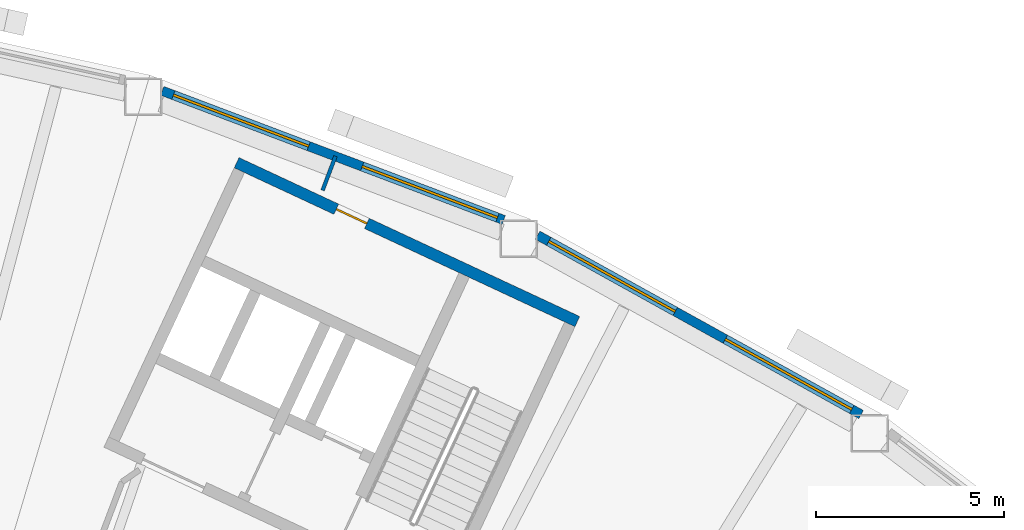
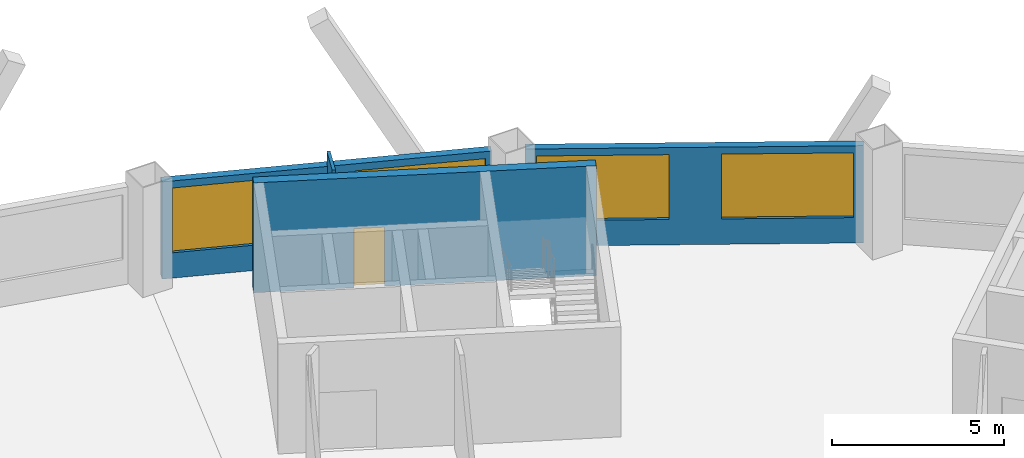
# One storey, part 8 of 11: 4 walls, 4 windows, 1 door, 5 openings.
"""IFC4 building model written with IfcOpenShell, lengths in metres."""

from ifc_helpers import new_model, si_unit, direction, frame, frame_2d, origin, place, context, subcontext, project, spatial, rectangle, extrude, material, layer, layer_set, type_object, element, fill, save


model = new_model("IFC4")

# Units and contexts
model_context = context("Model", 3, precision=1e-05, world=origin(), true_north=direction((0.0, 1.0)))
body_context = subcontext(model_context, "Body", "Model", "MODEL_VIEW")
ifc_project = project(units=[si_unit("LENGTHUNIT", "METRE"), si_unit("AREAUNIT", "SQUARE_METRE"), si_unit("VOLUMEUNIT", "CUBIC_METRE"), si_unit("PLANEANGLEUNIT", "RADIAN"), si_unit("MASSUNIT", "GRAM", prefix="KILO")], contexts=[model_context])

# Site, building, storey
site_placement = place(None, origin())
site = spatial("IfcSite", under=ifc_project, at=site_placement, CompositionType="ELEMENT")
building_placement = place(site_placement, origin())
building = spatial("IfcBuilding", under=site, at=building_placement, Name="Tuul Gate Civic Tower", CompositionType="ELEMENT")
storey_placement = place(building_placement, frame((0.0, 0.0, 155.0)))
storey = spatial("IfcBuildingStorey", under=building, at=storey_placement, Name="Level 35", CompositionType="ELEMENT", Elevation=155.0)

# Wall, opening, door
ifc_material_1 = material(Name="Concrete C50/60", Category="concrete")
ifc_layer_1 = layer(ifc_material_1, 0.300048828125)
ifc_layer_set_1 = layer_set([ifc_layer_1], Name="Concrete C50/60")
wall_type_1 = type_object("IfcWallType", Name="Core wall C50/60", PredefinedType="SHEAR", material=ifc_layer_set_1)
wall_1_placement = place(storey_placement, frame((37.993408203125, 0.181884765625, 0.0), z_axis=(0.0, 0.0, 1.0), x_axis=(-0.906310338845, 0.422612789327, 0.0)))
wall_1 = element("IfcWall", 1, at=wall_1_placement, inside=storey, type_object=wall_type_1, Name="Core wall", PredefinedType="SHEAR", context=body_context, shape_type="SweptSolid", body=[
    extrude(rectangle(XDim=9.999755859375, YDim=0.300048828125, at=frame_2d((5.0, 0.0))), origin(), (0.0, 0.0, 1.0), 3.89990234375),
])
opening_1_placement = place(wall_1_placement, frame((6.175048828125, 0.0, 0.0)))
opening_1 = element("IfcOpeningElement", 2, at=opening_1_placement, cuts=wall_1, Name="Opening L-D15", PredefinedType="OPENING", context=body_context, shape_type="SweptSolid", body=[
    extrude(rectangle(XDim=0.89990234375, YDim=2.10009765625, at=frame_2d((0.449951171875, 1.050048828125))), frame((0.0, 0.16015625, 0.0), z_axis=(0.0, -1.0, 0.0), x_axis=(1.0, 0.0, 0.0)), (0.0, 0.0, 1.0), 0.320068359375),
])
ifc_material_2 = material(Name="Timber door leaf", Category="wood")
door_type = type_object("IfcDoorType", Name="Door D09", OperationType="NOTDEFINED", PredefinedType="DOOR", material=ifc_material_2)
door_placement = place(opening_1_placement, origin())
door = element("IfcDoor", 3, at=door_placement, inside=storey, type_object=door_type, Name="Door L-D15", OperationType="SINGLE_SWING_LEFT", OverallHeight=2.10009765625, OverallWidth=0.89990234375, PredefinedType="DOOR", context=body_context, shape_type="SweptSolid", body=[
    extrude(rectangle(XDim=0.89990234375, YDim=2.10009765625, at=frame_2d((0.449951171875, 1.050048828125))), frame((0.0, 0.02490234375, 0.0), z_axis=(0.0, -1.0, 0.0), x_axis=(1.0, 0.0, 0.0)), (0.0, 0.0, 1.0), 0.050048828125),
])
fill(opening_1, door)

# Wall, openings, windows
ifc_material_3 = material(Name="Precast concrete C40/50", Category="concrete")
ifc_layer_2 = layer(ifc_material_3, 0.25)
ifc_layer_set_2 = layer_set([ifc_layer_2], Name="Precast concrete C40/50")
wall_type_2 = type_object("IfcWallType", Name="External wall", PredefinedType="STANDARD", material=ifc_layer_set_2)
wall_2_placement = place(storey_placement, frame((45.545166015625, -2.291015625, 0.0), z_axis=(0.0, 0.0, 1.0), x_axis=(-0.874631968484, 0.484787499536, 0.0)))
wall_2 = element("IfcWall", 4, at=wall_2_placement, inside=storey, type_object=wall_type_2, Name="External wall", PredefinedType="STANDARD", context=body_context, shape_type="SweptSolid", body=[
    extrude(rectangle(XDim=9.8408203125, YDim=0.25, at=frame_2d((4.92041015625, 0.0))), origin(), (0.0, 0.0, 1.0), 3.449951171875),
])
opening_2_placement = place(wall_2_placement, frame((0.283447265625, 0.0, 0.89990234375)))
opening_2 = element("IfcOpeningElement", 5, at=opening_2_placement, cuts=wall_2, Name="Opening W22", PredefinedType="OPENING", context=body_context, shape_type="SweptSolid", body=[
    extrude(rectangle(XDim=3.85009765625, YDim=2.300048828125, at=frame_2d((1.925048828125, 1.14990234375))), frame((0.0, 0.135009765625, 0.0), z_axis=(0.0, -1.0, 0.0), x_axis=(1.0, 0.0, 0.0)), (0.0, 0.0, 1.0), 0.27001953125),
])
opening_3_placement = place(wall_2_placement, frame((5.655029296875, 0.0, 0.89990234375)))
opening_3 = element("IfcOpeningElement", 6, at=opening_3_placement, cuts=wall_2, Name="Opening W22", PredefinedType="OPENING", context=body_context, shape_type="SweptSolid", body=[
    extrude(rectangle(XDim=3.85009765625, YDim=2.300048828125, at=frame_2d((1.925048828125, 1.14990234375))), frame((0.0, 0.135009765625, 0.0), z_axis=(0.0, -1.0, 0.0), x_axis=(1.0, 0.0, 0.0)), (0.0, 0.0, 1.0), 0.27001953125),
])
ifc_material_4 = material(Name="Glass", Category="glass")
window_type = type_object("IfcWindowType", Name="Window W22 3850 x 2300", PartitioningType="SINGLE_PANEL", PredefinedType="WINDOW", material=ifc_material_4)
window_1_placement = place(opening_2_placement, origin())
window_1 = element("IfcWindow", 7, at=window_1_placement, inside=storey, type_object=window_type, Name="Window", OverallHeight=2.300048828125, OverallWidth=3.85009765625, PartitioningType="SINGLE_PANEL", PredefinedType="WINDOW", context=body_context, shape_type="SweptSolid", body=[
    extrude(rectangle(XDim=3.85009765625, YDim=2.300048828125, at=frame_2d((1.925048828125, 1.14990234375))), frame((0.0, 0.030029296875, 0.0), z_axis=(0.0, -1.0, 0.0), x_axis=(1.0, 0.0, 0.0)), (0.0, 0.0, 1.0), 0.06005859375),
])
fill(opening_2, window_1)
window_2_placement = place(opening_3_placement, origin())
window_2 = element("IfcWindow", 8, at=window_2_placement, inside=storey, type_object=window_type, Name="Window", OverallHeight=2.300048828125, OverallWidth=3.85009765625, PartitioningType="SINGLE_PANEL", PredefinedType="WINDOW", context=body_context, shape_type="SweptSolid", body=[
    extrude(rectangle(XDim=3.85009765625, YDim=2.300048828125, at=frame_2d((1.925048828125, 1.14990234375))), frame((0.0, 0.030029296875, 0.0), z_axis=(0.0, -1.0, 0.0), x_axis=(1.0, 0.0, 0.0)), (0.0, 0.0, 1.0), 0.06005859375),
])
fill(opening_3, window_2)

wall_3_placement = place(storey_placement, frame((36.03564453125, 2.885009765625, 0.0), z_axis=(0.0, 0.0, 1.0), x_axis=(-0.935351451724, 0.353719750307, 0.0)))
wall_3 = element("IfcWall", 9, at=wall_3_placement, inside=storey, type_object=wall_type_2, Name="External wall", PredefinedType="STANDARD", context=body_context, shape_type="SweptSolid", body=[
    extrude(rectangle(XDim=9.712646484375, YDim=0.25, at=frame_2d((4.8564453125, 0.0))), origin(), (0.0, 0.0, 1.0), 3.449951171875),
])
opening_4_placement = place(wall_3_placement, frame((0.17578125, 0.0, 0.89990234375)))
opening_4 = element("IfcOpeningElement", 10, at=opening_4_placement, cuts=wall_3, Name="Opening W22", PredefinedType="OPENING", context=body_context, shape_type="SweptSolid", body=[
    extrude(rectangle(XDim=3.85009765625, YDim=2.300048828125, at=frame_2d((1.925048828125, 1.14990234375))), frame((0.0, 0.135009765625, 0.0), z_axis=(0.0, -1.0, 0.0), x_axis=(1.0, 0.0, 0.0)), (0.0, 0.0, 1.0), 0.27001953125),
])
opening_5_placement = place(wall_3_placement, frame((5.546875, 0.0, 0.89990234375)))
opening_5 = element("IfcOpeningElement", 11, at=opening_5_placement, cuts=wall_3, Name="Opening W22", PredefinedType="OPENING", context=body_context, shape_type="SweptSolid", body=[
    extrude(rectangle(XDim=3.85009765625, YDim=2.300048828125, at=frame_2d((1.925048828125, 1.14990234375))), frame((0.0, 0.135009765625, 0.0), z_axis=(0.0, -1.0, 0.0), x_axis=(1.0, 0.0, 0.0)), (0.0, 0.0, 1.0), 0.27001953125),
])
window_3_placement = place(opening_4_placement, origin())
window_3 = element("IfcWindow", 12, at=window_3_placement, inside=storey, type_object=window_type, Name="Window", OverallHeight=2.300048828125, OverallWidth=3.85009765625, PartitioningType="SINGLE_PANEL", PredefinedType="WINDOW", context=body_context, shape_type="SweptSolid", body=[
    extrude(rectangle(XDim=3.85009765625, YDim=2.300048828125, at=frame_2d((1.925048828125, 1.14990234375))), frame((0.0, 0.030029296875, 0.0), z_axis=(0.0, -1.0, 0.0), x_axis=(1.0, 0.0, 0.0)), (0.0, 0.0, 1.0), 0.06005859375),
])
fill(opening_4, window_3)
window_4_placement = place(opening_5_placement, origin())
window_4 = element("IfcWindow", 13, at=window_4_placement, inside=storey, type_object=window_type, Name="Window", OverallHeight=2.300048828125, OverallWidth=3.85009765625, PartitioningType="SINGLE_PANEL", PredefinedType="WINDOW", context=body_context, shape_type="SweptSolid", body=[
    extrude(rectangle(XDim=3.85009765625, YDim=2.300048828125, at=frame_2d((1.925048828125, 1.14990234375))), frame((0.0, 0.030029296875, 0.0), z_axis=(0.0, -1.0, 0.0), x_axis=(1.0, 0.0, 0.0)), (0.0, 0.0, 1.0), 0.06005859375),
])
fill(opening_5, window_4)

# Wall
ifc_material_5 = material(Name="Gypsum board partition")
ifc_layer_3 = layer(ifc_material_5, 0.10009765625)
ifc_layer_set_3 = layer_set([ifc_layer_3], Name="Gypsum board partition")
wall_type_3 = type_object("IfcWallType", Name="Partition P100", PredefinedType="PARTITIONING", material=ifc_layer_set_3)
wall_4_placement = place(storey_placement, frame((31.217041015625, 3.673095703125, 0.0), z_axis=(0.0, 0.0, 1.0), x_axis=(0.353571482385, 0.935407508439, 0.0)))
element("IfcWall", 14, at=wall_4_placement, inside=storey, type_object=wall_type_3, Name="p007", PredefinedType="PARTITIONING", context=body_context, shape_type="SweptSolid", body=[
    extrude(rectangle(XDim=0.97216796875, YDim=0.10009765625, at=frame_2d((0.486083984375, 0.0))), origin(), (0.0, 0.0, 1.0), 3.89990234375),
])

save(model, "model.ifc")
